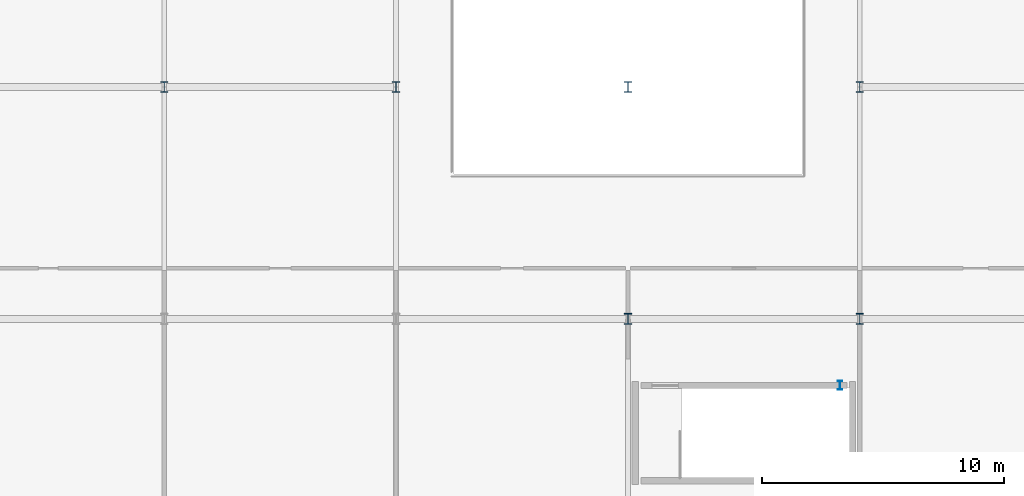
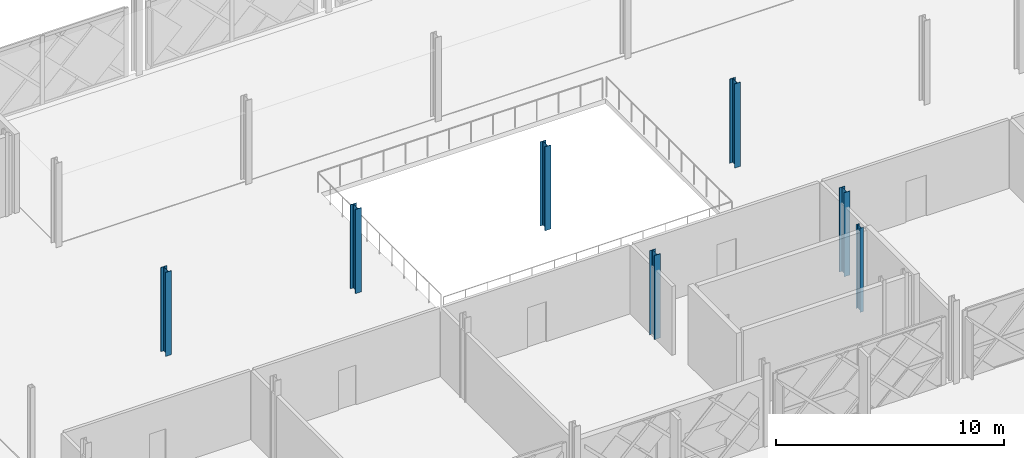
# One storey, part 6 of 101: 7 columns.
"""IFC4 building model written with IfcOpenShell, lengths in metres."""

from ifc_helpers import new_model, si_unit, direction, frame, origin, origin_2d, place, context, subcontext, project, spatial, i_section, extrude, material, material_profile, profile_set, type_object, element, save


model = new_model("IFC4")

# Units and contexts
model_context = context("Model", 3, precision=1e-05, world=origin(), true_north=direction((0.0, 1.0)))
body_context = subcontext(model_context, "Body", "Model", "MODEL_VIEW")
ifc_project = project(units=[si_unit("LENGTHUNIT", "METRE"), si_unit("AREAUNIT", "SQUARE_METRE"), si_unit("VOLUMEUNIT", "CUBIC_METRE"), si_unit("PLANEANGLEUNIT", "RADIAN"), si_unit("MASSUNIT", "GRAM", prefix="KILO")], contexts=[model_context])

# Site, building, storey
site_placement = place(None, origin())
site = spatial("IfcSite", under=ifc_project, at=site_placement, CompositionType="ELEMENT")
building_placement = place(site_placement, origin())
building = spatial("IfcBuilding", under=site, at=building_placement, Name="Zevrakil Square Congress Hotel", CompositionType="ELEMENT")
storey_placement = place(building_placement, frame((0.0, 0.0, 5.39990234375)))
storey = spatial("IfcBuildingStorey", under=building, at=storey_placement, Name="L02", CompositionType="ELEMENT", Elevation=5.39990234375)

# Columns
ifc_material_1 = material(Name="Steel S355", Category="steel")
ifc_material_profile_1 = material_profile(ifc_material_1, i_section(OverallWidth=0.300048828125, OverallDepth=0.449951171875, WebThickness=0.013916015625, FlangeThickness=0.02587890625, FilletRadius=0.027099609375, at=origin_2d()), Name="HEB 450")
ifc_profile_set_1 = profile_set([ifc_material_profile_1], Name="Steel S355")
column_type_1 = type_object("IfcColumnType", Name="COL-HEB450", PredefinedType="COLUMN", material=ifc_profile_set_1)
for number, where, z_axis, x_axis, name in (
    (1, (64.800048828125, 26.39990234375, 0.0), (0.0, 0.0, 1.0), (1.0, 0.0, 0.0), "L02 column C-102"),
    (2, (74.39990234375, 26.39990234375, 0.0), (0.0, 0.0, 1.0), (1.0, 0.0, 0.0), "L02 column C-116"),
    (3, (84.0, 16.800048828125, 0.0), (0.0, 0.0, 1.0), (1.0, 0.0, 0.0), "L02 column C-127"),
    (4, (84.0, 26.39990234375, 0.0), (0.0, 0.0, 1.0), (1.0, 0.0, 0.0), "L02 column C-128"),
    (5, (93.60009765625, 16.800048828125, 0.0), (0.0, 0.0, 1.0), (1.0, 0.0, 0.0), "L02 column C-139"),
    (6, (93.60009765625, 26.39990234375, 0.0), (0.0, 0.0, 1.0), (1.0, 0.0, 0.0), "L02 column C-140"),
):
    element("IfcColumn", number, at=place(storey_placement, frame(where, z_axis=z_axis, x_axis=x_axis)), inside=storey, type_object=column_type_1, Name=name, PredefinedType="COLUMN", context=body_context, shape_type="SweptSolid", body=[
        extrude(i_section(OverallWidth=0.300048828125, OverallDepth=0.449951171875, WebThickness=0.013916015625, FlangeThickness=0.02587890625, FilletRadius=0.027099609375, at=origin_2d()), origin(), (0.0, 0.0, 1.0), 4.5),
    ])
ifc_material_2 = material(Name="Steel S355", Category="steel")
ifc_material_profile_2 = material_profile(ifc_material_2, i_section(OverallWidth=0.169921875, OverallDepth=0.360107421875, WebThickness=0.008056640625, FlangeThickness=0.0126953125, FilletRadius=0.01806640625, at=origin_2d()), Name="IPE 360")
ifc_profile_set_2 = profile_set([ifc_material_profile_2], Name="Steel S355")
column_type_2 = type_object("IfcColumnType", Name="COL-PILASTER-SHS180", PredefinedType="PILASTER", material=ifc_profile_set_2)
column_placement = place(storey_placement, frame((92.780029296875, 14.050048828125, 0.0), z_axis=(0.0, 0.0, 1.0), x_axis=(1.0, 0.0, 0.0)))
element("IfcColumn", 7, at=column_placement, inside=storey, type_object=column_type_2, Name="L02 ST15 stair shaft post 3", PredefinedType="PILASTER", context=body_context, shape_type="SweptSolid", body=[
    extrude(i_section(OverallWidth=0.169921875, OverallDepth=0.360107421875, WebThickness=0.008056640625, FlangeThickness=0.0126953125, FilletRadius=0.01806640625, at=origin_2d()), origin(), (0.0, 0.0, 1.0), 4.5),
])

save(model, "model.ifc")
